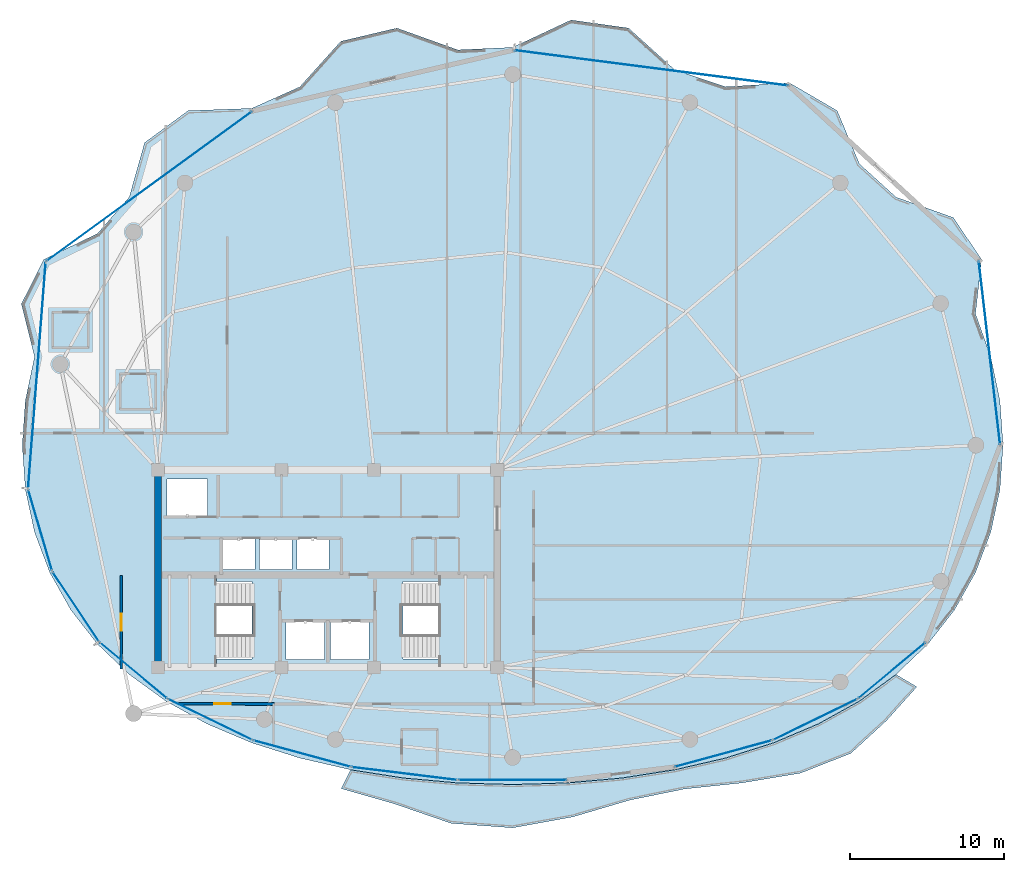
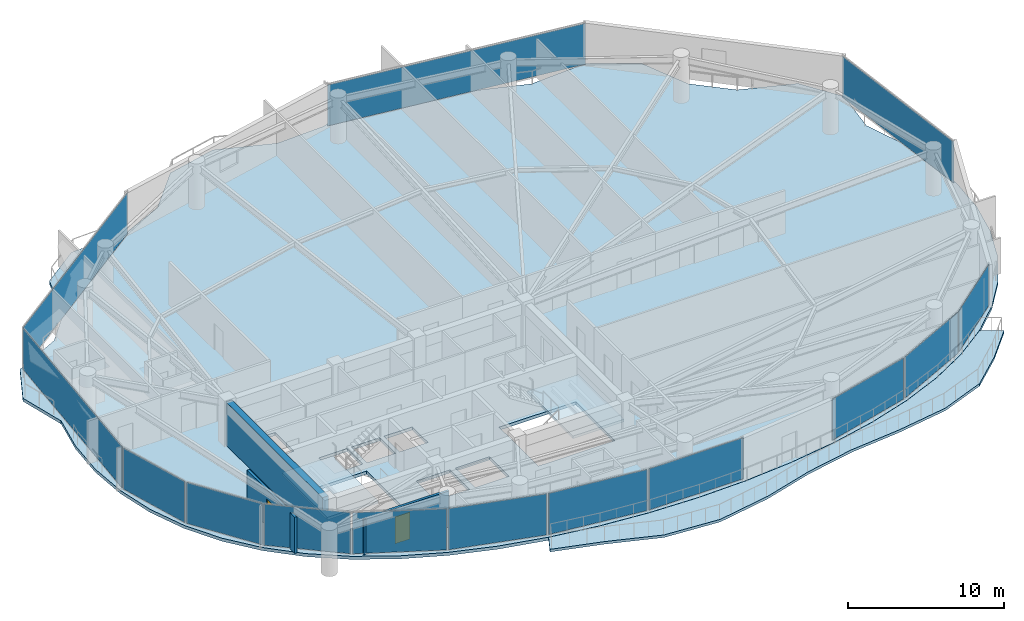
# One storey, part 24 of 31: 14 plates, 4 slabs, 3 walls, 2 doors, 2 openings, 16 elements without a shape of their own.
"""IFC4 building model written with IfcOpenShell, lengths in metres."""

from ifc_helpers import new_model, si_unit, direction, frame, frame_2d, origin, origin_2d, place, context, subcontext, project, spatial, polyline, rectangle, outline, extrude, material, layer, layer_set, type_object, element, fill, aggregate, save


model = new_model("IFC4")

# Units and contexts
model_context = context("Model", 3, precision=1e-05, world=origin(), true_north=direction((0.0, 1.0)))
body_context = subcontext(model_context, "Body", "Model", "MODEL_VIEW")
ifc_project = project(units=[si_unit("LENGTHUNIT", "METRE"), si_unit("AREAUNIT", "SQUARE_METRE"), si_unit("VOLUMEUNIT", "CUBIC_METRE"), si_unit("PLANEANGLEUNIT", "RADIAN"), si_unit("MASSUNIT", "GRAM", prefix="KILO")], contexts=[model_context])

# Site, building, storey
site_placement = place(None, origin())
site = spatial("IfcSite", under=ifc_project, at=site_placement, CompositionType="ELEMENT")
building_placement = place(site_placement, origin())
building = spatial("IfcBuilding", under=site, at=building_placement, Name="Kazevale Care Tower and Concert Hall", CompositionType="ELEMENT")
storey_placement = place(building_placement, frame((0.0, 0.0, 206.39990234375)))
storey = spatial("IfcBuildingStorey", under=building, at=storey_placement, Name="L54", CompositionType="ELEMENT", Elevation=206.39990234375)

# Curtain wall, plate
ifc_material_1 = material(Name="Aluminium 6063-T6 and Low-E Glass", Category="aluminium")
ifc_layer_1 = layer(ifc_material_1, 0.179931640625)
ifc_layer_set_1 = layer_set([ifc_layer_1], Name="Aluminium 6063-T6 and Low-E Glass")
curtain_wall_type_1 = type_object("IfcCurtainWallType", Name="Waist & Upper Residential Curtain Wall CW-4", PredefinedType="NOTDEFINED", material=ifc_layer_set_1)
curtain_wall_1_placement = place(storey_placement, origin())
curtain_wall_1 = element("IfcCurtainWall", 1, at=curtain_wall_1_placement, inside=storey, type_object=curtain_wall_type_1, Name="cw:L54:f11", PredefinedType="NOTDEFINED")
ifc_material_2 = material(Name="Low-E Laminated Glass", Category="glass")
ifc_layer_2 = layer(ifc_material_2, 0.030029296875)
ifc_layer_set_2 = layer_set([ifc_layer_2], Name="Low-E Laminated Glass")
plate_type_1 = type_object("IfcPlateType", Name="CW-4 Low-E Glazing Panel 30mm", PredefinedType="CURTAIN_PANEL", material=ifc_layer_set_2)
plate_1_placement = place(storey_placement, frame((16.677978515625, 27.525390625, 0.080078125), z_axis=(0.0, 0.0, 1.0), x_axis=(-0.554616540853, 0.832106058512, 0.0)))
plate_1 = element("IfcPlate", 2, at=plate_1_placement, type_object=plate_type_1, Name="CW-4 panel 1.1", PredefinedType="CURTAIN_PANEL", context=body_context, shape_type="SweptSolid", body=[
    extrude(rectangle(XDim=5.357421875, YDim=0.030029296875, at=origin_2d()), origin(), (0.0, 0.0, 1.0), 3.199951171875),
])
aggregate(curtain_wall_1, [plate_1])

curtain_wall_2_placement = place(storey_placement, origin())
curtain_wall_2 = element("IfcCurtainWall", 3, at=curtain_wall_2_placement, inside=storey, type_object=curtain_wall_type_1, Name="cw:L54:f12", PredefinedType="NOTDEFINED")
plate_2_placement = place(storey_placement, frame((14.363525390625, 32.489013671875, 0.080078125), z_axis=(0.0, 0.0, 1.0), x_axis=(-0.282098184457, 0.959385539982, 0.0)))
plate_2 = element("IfcPlate", 4, at=plate_2_placement, type_object=plate_type_1, Name="CW-4 panel 1.1", PredefinedType="CURTAIN_PANEL", context=body_context, shape_type="SweptSolid", body=[
    extrude(rectangle(XDim=5.40185546875, YDim=0.030029296875, at=origin_2d()), origin(), (0.0, 0.0, 1.0), 3.199951171875),
])
aggregate(curtain_wall_2, [plate_2])

curtain_wall_3_placement = place(storey_placement, origin())
curtain_wall_3 = element("IfcCurtainWall", 5, at=curtain_wall_3_placement, inside=storey, type_object=curtain_wall_type_1, Name="cw:L54:f13", PredefinedType="NOTDEFINED")
plate_3_placement = place(storey_placement, frame((14.152587890625, 42.531005859375, 0.080078125), z_axis=(0.0, 0.0, 1.0), x_axis=(0.077539106325, 0.996989311372, 0.0)))
plate_3 = element("IfcPlate", 6, at=plate_3_placement, type_object=plate_type_1, Name="CW-4 panel 1.1", PredefinedType="CURTAIN_PANEL", context=body_context, shape_type="SweptSolid", body=[
    extrude(rectangle(XDim=14.632568359375, YDim=0.030029296875, at=origin_2d()), origin(), (0.0, 0.0, 1.0), 3.199951171875),
])
aggregate(curtain_wall_3, [plate_3])

curtain_wall_4_placement = place(storey_placement, origin())
curtain_wall_4 = element("IfcCurtainWall", 7, at=curtain_wall_4_placement, inside=storey, type_object=curtain_wall_type_1, Name="cw:L54:f14", PredefinedType="NOTDEFINED")
plate_4_placement = place(storey_placement, frame((21.424560546875, 54.785888671875, 0.080078125), z_axis=(0.0, 0.0, 1.0), x_axis=(0.808198348937, 0.588910374145, 0.0)))
plate_4 = element("IfcPlate", 8, at=plate_4_placement, type_object=plate_type_1, Name="CW-4 panel 1.1", PredefinedType="CURTAIN_PANEL", context=body_context, shape_type="SweptSolid", body=[
    extrude(rectangle(XDim=16.416259765625, YDim=0.030029296875, at=origin_2d()), origin(), (0.0, 0.0, 1.0), 3.199951171875),
])
aggregate(curtain_wall_4, [plate_4])

curtain_wall_5_placement = place(storey_placement, origin())
curtain_wall_5 = element("IfcCurtainWall", 9, at=curtain_wall_5_placement, inside=storey, type_object=curtain_wall_type_1, Name="cw:L54:f16", PredefinedType="NOTDEFINED")
plate_5_placement = place(storey_placement, frame((53.978515625, 62.468017578125, 0.080078125), z_axis=(0.0, 0.0, 1.0), x_axis=(0.991761497713, -0.128098132904, 0.0)))
plate_5 = element("IfcPlate", 10, at=plate_5_placement, type_object=plate_type_1, Name="CW-4 panel 1.1", PredefinedType="CURTAIN_PANEL", context=body_context, shape_type="SweptSolid", body=[
    extrude(rectangle(XDim=17.857421875, YDim=0.030029296875, at=origin_2d()), origin(), (0.0, 0.0, 1.0), 3.199951171875),
])
aggregate(curtain_wall_5, [plate_5])

curtain_wall_6_placement = place(storey_placement, origin())
curtain_wall_6 = element("IfcCurtainWall", 11, at=curtain_wall_6_placement, inside=storey, type_object=curtain_wall_type_1, Name="cw:L54:f18", PredefinedType="NOTDEFINED")
plate_6_placement = place(storey_placement, frame((75.92041015625, 43.99755859375, 0.080078125), z_axis=(0.0, 0.0, 1.0), x_axis=(0.115846659989, -0.993267109779, 0.0)))
plate_6 = element("IfcPlate", 12, at=plate_6_placement, type_object=plate_type_1, Name="CW-4 panel 1.1", PredefinedType="CURTAIN_PANEL", context=body_context, shape_type="SweptSolid", body=[
    extrude(rectangle(XDim=11.916259765625, YDim=0.030029296875, at=origin_2d()), origin(), (0.0, 0.0, 1.0), 3.199951171875),
])
aggregate(curtain_wall_6, [plate_6])

ifc_layer_3 = layer(ifc_material_1, 0.179931640625)
ifc_layer_set_3 = layer_set([ifc_layer_3], Name="Aluminium 6063-T6 and Low-E Glass")
curtain_wall_type_2 = type_object("IfcCurtainWallType", Name="Sheltered Concave Balcony Curtain Wall CW-5", PredefinedType="NOTDEFINED", material=ifc_layer_set_3)
curtain_wall_7_placement = place(storey_placement, origin())
curtain_wall_7 = element("IfcCurtainWall", 13, at=curtain_wall_7_placement, inside=storey, type_object=curtain_wall_type_2, Name="cw:L54:f02", PredefinedType="NOTDEFINED")
ifc_layer_4 = layer(ifc_material_2, 0.02587890625)
ifc_layer_set_4 = layer_set([ifc_layer_4], Name="Low-E Laminated Glass")
plate_type_2 = type_object("IfcPlateType", Name="CW-5 Low-E Glazing Panel 26mm", PredefinedType="CURTAIN_PANEL", material=ifc_layer_set_4)
plate_7_placement = place(storey_placement, frame((69.590576171875, 23.396484375, 0.0751953125), z_axis=(0.0, 0.0, 1.0), x_axis=(-0.768407210062, -0.639961217204, 0.0)))
plate_7 = element("IfcPlate", 14, at=plate_7_placement, type_object=plate_type_2, Name="CW-5 panel 1.1", PredefinedType="CURTAIN_PANEL", context=body_context, shape_type="SweptSolid", body=[
    extrude(rectangle(XDim=5.580078125, YDim=0.02587890625, at=origin_2d()), origin(), (0.0, 0.0, 1.0), 3.2099609375),
])
aggregate(curtain_wall_7, [plate_7])

curtain_wall_8_placement = place(storey_placement, origin())
curtain_wall_8 = element("IfcCurtainWall", 15, at=curtain_wall_8_placement, inside=storey, type_object=curtain_wall_type_2, Name="cw:L54:f03", PredefinedType="NOTDEFINED")
plate_8_placement = place(storey_placement, frame((64.62255859375, 20.218017578125, 0.0751953125), z_axis=(0.0, 0.0, 1.0), x_axis=(-0.89934566163, -0.437238357087, 0.0)))
plate_8 = element("IfcPlate", 16, at=plate_8_placement, type_object=plate_type_2, Name="CW-5 panel 1.1", PredefinedType="CURTAIN_PANEL", context=body_context, shape_type="SweptSolid", body=[
    extrude(rectangle(XDim=6.002197265625, YDim=0.02587890625, at=origin_2d()), origin(), (0.0, 0.0, 1.0), 3.2099609375),
])
aggregate(curtain_wall_8, [plate_8])

curtain_wall_9_placement = place(storey_placement, origin())
curtain_wall_9 = element("IfcCurtainWall", 17, at=curtain_wall_9_placement, inside=storey, type_object=curtain_wall_type_2, Name="cw:L54:f04", PredefinedType="NOTDEFINED")
plate_9_placement = place(storey_placement, frame((58.66259765625, 18.0029296875, 0.0751953125), z_axis=(0.0, 0.0, 1.0), x_axis=(-0.964836991167, -0.262848968947, 0.0)))
plate_9 = element("IfcPlate", 18, at=plate_9_placement, type_object=plate_type_2, Name="CW-5 panel 1.1", PredefinedType="CURTAIN_PANEL", context=body_context, shape_type="SweptSolid", body=[
    extrude(rectangle(XDim=6.4697265625, YDim=0.02587890625, at=origin_2d()), origin(), (0.0, 0.0, 1.0), 3.2099609375),
])
aggregate(curtain_wall_9, [plate_9])

curtain_wall_10_placement = place(storey_placement, origin())
curtain_wall_10 = element("IfcCurtainWall", 19, at=curtain_wall_10_placement, inside=storey, type_object=curtain_wall_type_2, Name="cw:L54:f06", PredefinedType="NOTDEFINED")
plate_10_placement = place(storey_placement, frame((45.0, 16.284912109375, 0.0751953125), z_axis=(0.0, 0.0, 1.0), x_axis=(-1.0, 0.0, 0.0)))
plate_10 = element("IfcPlate", 20, at=plate_10_placement, type_object=plate_type_2, Name="CW-5 panel 1.1", PredefinedType="CURTAIN_PANEL", context=body_context, shape_type="SweptSolid", body=[
    extrude(rectangle(XDim=6.949951171875, YDim=0.02587890625, at=origin_2d()), origin(), (0.0, 0.0, 1.0), 3.2099609375),
])
aggregate(curtain_wall_10, [plate_10])

curtain_wall_11_placement = place(storey_placement, origin())
curtain_wall_11 = element("IfcCurtainWall", 21, at=curtain_wall_11_placement, inside=storey, type_object=curtain_wall_type_2, Name="cw:L54:f07", PredefinedType="NOTDEFINED")
plate_11_placement = place(storey_placement, frame((37.990478515625, 16.708984375, 0.0751953125), z_axis=(0.0, 0.0, 1.0), x_axis=(-0.992572961225, 0.121650797964, 0.0)))
plate_11 = element("IfcPlate", 22, at=plate_11_placement, type_object=plate_type_2, Name="CW-5 panel 1.1", PredefinedType="CURTAIN_PANEL", context=body_context, shape_type="SweptSolid", body=[
    extrude(rectangle(XDim=6.82080078125, YDim=0.02587890625, at=origin_2d()), origin(), (0.0, 0.0, 1.0), 3.2099609375),
])
aggregate(curtain_wall_11, [plate_11])

curtain_wall_12_placement = place(storey_placement, origin())
curtain_wall_12 = element("IfcCurtainWall", 23, at=curtain_wall_12_placement, inside=storey, type_object=curtain_wall_type_2, Name="cw:L54:f08", PredefinedType="NOTDEFINED")
plate_12_placement = place(storey_placement, frame((31.33740234375, 18.0029296875, 0.0751953125), z_axis=(0.0, 0.0, 1.0), x_axis=(-0.964836991167, 0.262848968947, 0.0)))
plate_12 = element("IfcPlate", 24, at=plate_12_placement, type_object=plate_type_2, Name="CW-5 panel 1.1", PredefinedType="CURTAIN_PANEL", context=body_context, shape_type="SweptSolid", body=[
    extrude(rectangle(XDim=6.4697265625, YDim=0.02587890625, at=origin_2d()), origin(), (0.0, 0.0, 1.0), 3.2099609375),
])
aggregate(curtain_wall_12, [plate_12])

curtain_wall_13_placement = place(storey_placement, origin())
curtain_wall_13 = element("IfcCurtainWall", 25, at=curtain_wall_13_placement, inside=storey, type_object=curtain_wall_type_2, Name="cw:L54:f09", PredefinedType="NOTDEFINED")
plate_13_placement = place(storey_placement, frame((25.37744140625, 20.218017578125, 0.0751953125), z_axis=(0.0, 0.0, 1.0), x_axis=(-0.89934566163, 0.437238357087, 0.0)))
plate_13 = element("IfcPlate", 26, at=plate_13_placement, type_object=plate_type_2, Name="CW-5 panel 1.1", PredefinedType="CURTAIN_PANEL", context=body_context, shape_type="SweptSolid", body=[
    extrude(rectangle(XDim=6.002197265625, YDim=0.02587890625, at=origin_2d()), origin(), (0.0, 0.0, 1.0), 3.2099609375),
])
aggregate(curtain_wall_13, [plate_13])

curtain_wall_14_placement = place(storey_placement, origin())
curtain_wall_14 = element("IfcCurtainWall", 27, at=curtain_wall_14_placement, inside=storey, type_object=curtain_wall_type_2, Name="cw:L54:f10", PredefinedType="NOTDEFINED")
plate_14_placement = place(storey_placement, frame((20.409423828125, 23.396484375, 0.0751953125), z_axis=(0.0, 0.0, 1.0), x_axis=(-0.768407210062, 0.639961217204, 0.0)))
plate_14 = element("IfcPlate", 28, at=plate_14_placement, type_object=plate_type_2, Name="CW-5 panel 1.1", PredefinedType="CURTAIN_PANEL", context=body_context, shape_type="SweptSolid", body=[
    extrude(rectangle(XDim=5.580078125, YDim=0.02587890625, at=origin_2d()), origin(), (0.0, 0.0, 1.0), 3.2099609375),
])
aggregate(curtain_wall_14, [plate_14])

# Slab
ifc_material_3 = material(Name="Concrete C40", Category="concrete")
ifc_layer_5 = layer(ifc_material_3, 0.199951171875)
ifc_layer_set_5 = layer_set([ifc_layer_5], Name="Concrete C40")
slab_type_1 = type_object("IfcSlabType", Name="Sinusoidal Concave Balcony Slab 200", PredefinedType="USERDEFINED", material=ifc_layer_set_5)
slab_1_placement = place(storey_placement, frame((0.0, 0.0, -0.199951171875)))
element("IfcSlab", 29, at=slab_1_placement, inside=storey, type_object=slab_type_1, Name="slab:L54:bal", ObjectType="BALCONY", PredefinedType="USERDEFINED", context=body_context, shape_type="SweptSolid", body=[
    extrude(outline(polyline([(71.2080078125, 22.332275390625), (69.225830078125, 20.127197265625), (66.927734375, 18.01953125), (63.6474609375, 16.731689453125), (59.890869140625, 16.10595703125), (56.126220703125, 15.70751953125), (52.550048828125, 14.9775390625), (48.918212890625, 13.905029296875), (45.0, 13.19091796875), (41.012939453125, 13.482421875), (37.37060546875, 14.735107421875), (33.886962890625, 15.7333984375), (34.494873046875, 16.951416015625), (34.49609375, 16.951171875), (37.923095703125, 16.417236328125), (41.439208984375, 16.10009765625), (45.0, 15.9951171875), (48.560791015625, 16.10009765625), (52.076904296875, 16.417236328125), (55.50390625, 16.951171875), (58.798828125, 17.708740234375), (61.92041015625, 18.69873046875), (64.8291015625, 19.92919921875), (67.48876953125, 21.406494140625), (69.865478515625, 23.133056640625), (69.86669921875, 23.13427734375), (71.2080078125, 22.332275390625)])), origin(), (0.0, 0.0, 1.0), 0.199951171875),
])

# Stair, slab
stair_type = type_object("IfcStairType", Name="Exit Stair Assembly ST1-Z3", PredefinedType="HALF_TURN_STAIR", material=ifc_material_3)
stair_1_placement = place(storey_placement, origin())
stair_1 = element("IfcStair", 30, at=stair_1_placement, inside=storey, type_object=stair_type, Name="stair:L54:ST1", PredefinedType="HALF_TURN_STAIR")
ifc_layer_6 = layer(ifc_material_3, 0.199951171875)
ifc_layer_set_6 = layer_set([ifc_layer_6], Name="Concrete C40")
slab_type_2 = type_object("IfcSlabType", Name="Stair Half-Landing Slab ST1-Z3", PredefinedType="LANDING", material=ifc_layer_set_6)
slab_2_placement = place(storey_placement, frame((0.0, 0.0, 1.60009765625)))
slab_2 = element("IfcSlab", 31, at=slab_2_placement, type_object=slab_type_2, Name="ST1-Z3 landing 1", PredefinedType="LANDING", context=body_context, shape_type="SweptSolid", body=[
    extrude(outline(polyline([(22.050048828125, 23.699951171875), (25.81005859375, 23.699951171875), (25.81005859375, 29.5), (22.050048828125, 29.5), (22.050048828125, 23.699951171875)])), origin(), (0.0, 0.0, 1.0), 0.199951171875),
])
aggregate(stair_1, [slab_2])

stair_2_placement = place(storey_placement, origin())
stair_2 = element("IfcStair", 32, at=stair_2_placement, inside=storey, type_object=stair_type, Name="stair:L54:ST2", PredefinedType="HALF_TURN_STAIR")
slab_3_placement = place(storey_placement, frame((0.0, 0.0, 1.60009765625)))
slab_3 = element("IfcSlab", 33, at=slab_3_placement, type_object=slab_type_2, Name="ST1-Z3 landing 1", PredefinedType="LANDING", context=body_context, shape_type="SweptSolid", body=[
    extrude(outline(polyline([(40.18994140625, 23.699951171875), (43.949951171875, 23.699951171875), (43.949951171875, 29.5), (40.18994140625, 29.5), (40.18994140625, 23.699951171875)])), origin(), (0.0, 0.0, 1.0), 0.199951171875),
])
aggregate(stair_2, [slab_3])

# Slab
ifc_layer_7 = layer(ifc_material_3, 0.239990234375)
ifc_layer_set_7 = layer_set([ifc_layer_7], Name="Concrete C40")
slab_type_3 = type_object("IfcSlabType", Name="Tower Typical Floor Slab 240", PredefinedType="FLOOR", material=ifc_layer_set_7)
slab_4_placement = place(storey_placement, frame((0.0, 0.0, -0.239990234375)))
element("IfcSlab", 34, at=slab_4_placement, inside=storey, type_object=slab_type_3, Name="slab:L54:tw:1", PredefinedType="FLOOR", context=body_context, shape_type="SweptSolid", body=[
    extrude(outline(polyline([(76.800048828125, 38.0), (76.60009765625, 40.888671875), (76.002685546875, 43.740966796875), (75.015380859375, 46.521240234375), (75.40771484375, 50.040283203125), (73.576904296875, 52.763916015625), (69.8623046875, 54.0859375), (67.486083984375, 56.243408203125), (66.042724609375, 59.69580078125), (62.9560546875, 61.49658203125), (58.797607421875, 61.2451171875), (55.5029296875, 62.352294921875), (52.510009765625, 65.05419921875), (48.77880859375, 65.575439453125), (45.0, 63.800048828125), (41.439453125, 63.6376953125), (37.489990234375, 65.05419921875), (33.85302734375, 64.19287109375), (31.202392578125, 61.2451171875), (28.081298828125, 59.845458984375), (23.957275390625, 59.69580078125), (21.135009765625, 57.622314453125), (20.1376953125, 54.0859375), (18.07421875, 51.726318359375), (14.59228515625, 50.040283203125), (13.143798828125, 47.165283203125), (13.997314453125, 43.740966796875), (13.39990234375, 40.888671875), (13.199951171875, 38.0), (13.39990234375, 35.131103515625), (13.997314453125, 32.362060546875), (14.984619140625, 29.744873046875), (16.34912109375, 27.318115234375), (18.07421875, 25.109130859375), (20.1376953125, 23.13671875), (22.513916015625, 21.41064453125), (25.173095703125, 19.933837890625), (28.081298828125, 18.70361328125), (31.202392578125, 17.713623046875), (34.4970703125, 16.9560546875), (37.923828125, 16.422119140625), (41.439453125, 16.10498046875), (45.0, 16.0), (48.560546875, 16.10498046875), (52.076171875, 16.422119140625), (55.5029296875, 16.9560546875), (58.797607421875, 17.713623046875), (61.918701171875, 18.70361328125), (64.826904296875, 19.933837890625), (67.486083984375, 21.41064453125), (69.8623046875, 23.13671875), (71.92578125, 25.109130859375), (73.65087890625, 27.318115234375), (75.015380859375, 29.744873046875), (76.002685546875, 32.362060546875), (76.60009765625, 35.131103515625), (76.800048828125, 38.0)]), holes=[polyline([(22.449951171875, 24.14990234375), (28.110107421875, 24.14990234375), (28.110107421875, 29.14990234375), (22.449951171875, 29.14990234375), (22.449951171875, 24.14990234375)]), polyline([(37.889892578125, 24.14990234375), (43.550048828125, 24.14990234375), (43.550048828125, 29.14990234375), (37.889892578125, 29.14990234375), (37.889892578125, 24.14990234375)]), polyline([(30.300048828125, 24.10009765625), (32.800048828125, 24.10009765625), (32.800048828125, 26.60009765625), (30.300048828125, 26.60009765625), (30.300048828125, 24.10009765625)]), polyline([(33.199951171875, 24.10009765625), (35.699951171875, 24.10009765625), (35.699951171875, 26.60009765625), (33.199951171875, 26.60009765625), (33.199951171875, 24.10009765625)]), polyline([(22.60009765625, 33.39990234375), (25.199951171875, 33.39990234375), (25.199951171875, 35.800048828125), (22.60009765625, 35.800048828125), (22.60009765625, 33.39990234375)]), polyline([(26.199951171875, 29.949951171875), (28.300048828125, 29.949951171875), (28.300048828125, 31.949951171875), (26.199951171875, 31.949951171875), (26.199951171875, 29.949951171875)]), polyline([(28.60009765625, 29.949951171875), (30.699951171875, 29.949951171875), (30.699951171875, 31.949951171875), (28.60009765625, 31.949951171875), (28.60009765625, 29.949951171875)]), polyline([(31.0, 29.949951171875), (33.10009765625, 29.949951171875), (33.10009765625, 31.949951171875), (31.0, 31.949951171875), (31.0, 29.949951171875)])]), origin(), (0.0, 0.0, 1.0), 0.239990234375),
])

# Wall
ifc_material_4 = material(Name="Concrete C50", Category="concrete")
ifc_layer_8 = layer(ifc_material_4, 0.449951171875)
ifc_layer_set_8 = layer_set([ifc_layer_8], Name="Concrete C50")
wall_type_1 = type_object("IfcWallType", Name="Core Shear Wall 450 C50", PredefinedType="SHEAR", material=ifc_layer_set_8)
wall_1_placement = place(storey_placement, frame((22.0, 23.824951171875, 0.0), z_axis=(0.0, 0.0, 1.0), x_axis=(0.0, 1.0, 0.0)))
element("IfcWall", 35, at=wall_1_placement, inside=storey, type_object=wall_type_1, Name="wall:L54:core:W", PredefinedType="SHEAR", context=body_context, shape_type="SweptSolid", body=[
    extrude(rectangle(XDim=12.35009765625, YDim=0.449951171875, at=frame_2d((6.175048828125, 0.0))), origin(), (0.0, 0.0, 1.0), 3.360107421875),
])

# Wall, opening, door
ifc_material_5 = material(Name="Concrete C40 and Acoustic Gypsum", Category="concrete")
ifc_layer_9 = layer(ifc_material_5, 0.179931640625)
ifc_layer_set_9 = layer_set([ifc_layer_9], Name="Concrete C40 and Acoustic Gypsum")
wall_type_2 = type_object("IfcWallType", Name="Fire-Rated Corridor & Party Wall 180", PredefinedType="PARTITIONING", material=ifc_layer_set_9)
wall_2_placement = place(storey_placement, frame((29.56494140625, 21.22509765625, 0.0), z_axis=(0.0, 0.0, 1.0), x_axis=(-0.999996509373, 0.002642204019, 0.0)))
wall_2 = element("IfcWall", 36, at=wall_2_placement, inside=storey, type_object=wall_type_2, Name="wall:L54:auto_015", PredefinedType="PARTITIONING", context=body_context, shape_type="SweptSolid", body=[
    extrude(rectangle(XDim=6.283203125, YDim=0.179931640625, at=frame_2d((3.1416015625, 0.0))), origin(), (0.0, 0.0, 1.0), 2.80615234375),
])
opening_1_placement = place(wall_2_placement, frame((2.8291015625, 0.0, 0.0)))
opening_1 = element("IfcOpeningElement", 37, at=opening_1_placement, cuts=wall_2, Name="Opening ID-1100", PredefinedType="OPENING", context=body_context, shape_type="SweptSolid", body=[
    extrude(rectangle(XDim=1.10009765625, YDim=2.10009765625, at=frame_2d((0.550048828125, 1.050048828125))), frame((0.0, 0.099853515625, 0.0), z_axis=(0.0, -1.0, 0.0), x_axis=(1.0, 0.0, 0.0)), (0.0, 0.0, 1.0), 0.199951171875),
])
ifc_material_6 = material(Name="Oak Timber Fire Leaf", Category="wood")
door_type = type_object("IfcDoorType", Name="Care Bedroom Accessible Door 1100x2100", OperationType="NOTDEFINED", PredefinedType="DOOR", material=ifc_material_6)
door_1_placement = place(opening_1_placement, origin())
door_1 = element("IfcDoor", 38, at=door_1_placement, inside=storey, type_object=door_type, Name="door:L54:ad_015", OperationType="SINGLE_SWING_LEFT", OverallHeight=2.10009765625, OverallWidth=1.10009765625, PredefinedType="DOOR", context=body_context, shape_type="SweptSolid", body=[
    extrude(rectangle(XDim=1.10009765625, YDim=2.10009765625, at=frame_2d((0.550048828125, 1.050048828125))), frame((0.0, 0.02490234375, 0.0), z_axis=(0.0, -1.0, 0.0), x_axis=(1.0, 0.0, 0.0)), (0.0, 0.0, 1.0), 0.050048828125),
])
fill(opening_1, door_1)

wall_3_placement = place(storey_placement, frame((19.625, 23.49609375, 0.0), z_axis=(0.0, 0.0, 1.0), x_axis=(0.0, 1.0, 0.0)))
wall_3 = element("IfcWall", 39, at=wall_3_placement, inside=storey, type_object=wall_type_2, Name="wall:L54:auto_018", PredefinedType="PARTITIONING", context=body_context, shape_type="SweptSolid", body=[
    extrude(rectangle(XDim=6.06884765625, YDim=0.179931640625, at=frame_2d((3.034423828125, 0.0))), origin(), (0.0, 0.0, 1.0), 2.817138671875),
])
opening_2_placement = place(wall_3_placement, frame((2.48388671875, 0.0, 0.0)))
opening_2 = element("IfcOpeningElement", 40, at=opening_2_placement, cuts=wall_3, Name="Opening ID-1100", PredefinedType="OPENING", context=body_context, shape_type="SweptSolid", body=[
    extrude(rectangle(XDim=1.10009765625, YDim=2.10009765625, at=frame_2d((0.550048828125, 1.050048828125))), frame((0.0, 0.099853515625, 0.0), z_axis=(0.0, -1.0, 0.0), x_axis=(1.0, 0.0, 0.0)), (0.0, 0.0, 1.0), 0.199951171875),
])
door_2_placement = place(opening_2_placement, origin())
door_2 = element("IfcDoor", 41, at=door_2_placement, inside=storey, type_object=door_type, Name="door:L54:ad_018", OperationType="SINGLE_SWING_LEFT", OverallHeight=2.10009765625, OverallWidth=1.10009765625, PredefinedType="DOOR", context=body_context, shape_type="SweptSolid", body=[
    extrude(rectangle(XDim=1.10009765625, YDim=2.10009765625, at=frame_2d((0.550048828125, 1.050048828125))), frame((0.0, 0.02490234375, 0.0), z_axis=(0.0, -1.0, 0.0), x_axis=(1.0, 0.0, 0.0)), (0.0, 0.0, 1.0), 0.050048828125),
])
fill(opening_2, door_2)

save(model, "model.ifc")
